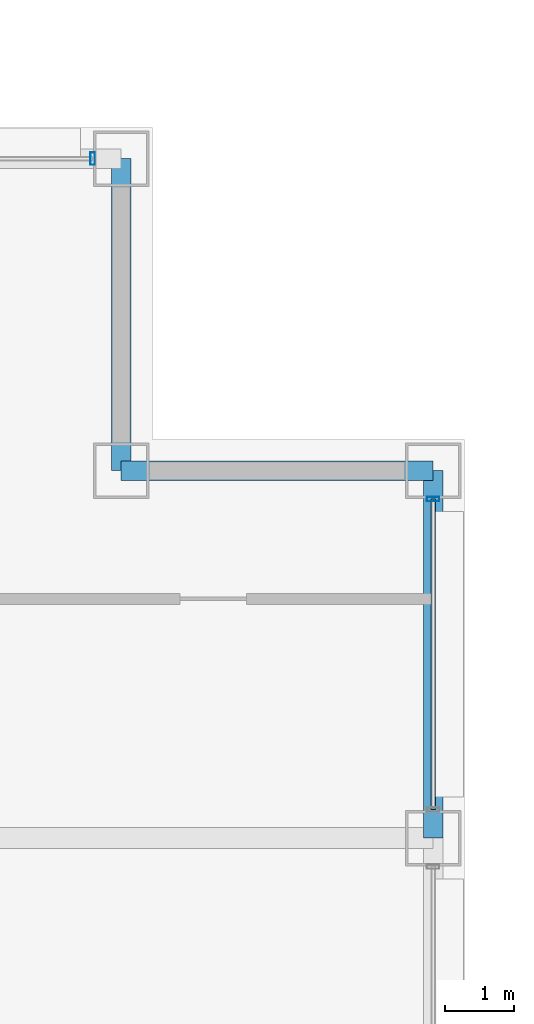
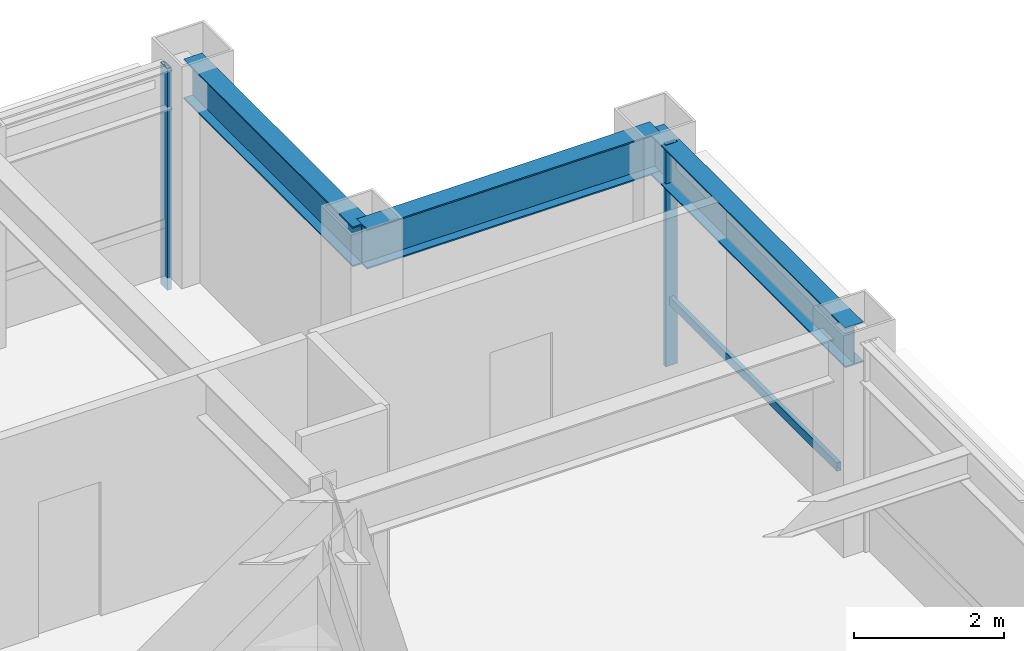
# One storey, part 22 of 28: 3 beams, 3 members, 2 elements without a shape of their own.
"""IFC4 building model written with IfcOpenShell, lengths in metres."""

from ifc_helpers import new_model, si_unit, direction, frame, origin, origin_2d, place, context, subcontext, project, spatial, hollow_rectangle, i_section, extrude, material, layer, layer_set, material_profile, profile_set, type_object, element, aggregate, save


model = new_model("IFC4")

# Units and contexts
model_context = context("Model", 3, precision=1e-05, world=origin(), true_north=direction((0.0, 1.0)))
body_context = subcontext(model_context, "Body", "Model", "MODEL_VIEW")
ifc_project = project(units=[si_unit("LENGTHUNIT", "METRE"), si_unit("AREAUNIT", "SQUARE_METRE"), si_unit("VOLUMEUNIT", "CUBIC_METRE"), si_unit("PLANEANGLEUNIT", "RADIAN"), si_unit("MASSUNIT", "GRAM", prefix="KILO")], contexts=[model_context])

# Site, building, storey
site_placement = place(None, origin())
site = spatial("IfcSite", under=ifc_project, at=site_placement, CompositionType="ELEMENT")
building_placement = place(site_placement, origin())
building = spatial("IfcBuilding", under=site, at=building_placement, Name="Brelmoor Portico Tower", CompositionType="ELEMENT")
storey_placement = place(building_placement, frame((0.0, 0.0, 142.199951171875)))
storey = spatial("IfcBuildingStorey", under=building, at=storey_placement, Name="L37", CompositionType="ELEMENT", Elevation=142.199951171875)

# Beams
ifc_material_1 = material(Name="Steel Q355B", Category="steel")
ifc_material_profile_1 = material_profile(ifc_material_1, i_section(OverallWidth=0.280029296875, OverallDepth=0.64990234375, WebThickness=0.012939453125, FlangeThickness=0.02197265625, at=origin_2d()), Name="HN 650x280x13x22")
ifc_profile_set_1 = profile_set([ifc_material_profile_1], Name="Steel Q355B")
beam_type = type_object("IfcBeamType", Name="BM-SP-650", PredefinedType="SPANDREL", material=ifc_profile_set_1)
for number, where, z_axis, x_axis, name in (
    (1, (18.050048828125, 15.050048828125, 3.074951171875), (1.0, 0.0, 0.0), (0.0, 1.0, 0.0), "L37 Perimeter Spandrel Beam SP-09"),
    (2, (18.050048828125, 15.050048828125, 3.074951171875), (0.0, 1.0, 0.0), (-1.0, 0.0, 0.0), "L37 Perimeter Spandrel Beam SP-21"),
):
    element("IfcBeam", number, at=place(storey_placement, frame(where, z_axis=z_axis, x_axis=x_axis)), inside=storey, type_object=beam_type, Name=name, PredefinedType="SPANDREL", context=body_context, shape_type="SweptSolid", body=[
        extrude(i_section(OverallWidth=0.280029296875, OverallDepth=0.64990234375, WebThickness=0.012939453125, FlangeThickness=0.02197265625, at=origin_2d()), origin(), (0.0, 0.0, 1.0), 4.5),
    ])
beam_placement = place(storey_placement, frame((22.550048828125, 9.75, 3.074951171875), z_axis=(0.0, 1.0, 0.0), x_axis=(-1.0, 0.0, 0.0)))
element("IfcBeam", 3, at=beam_placement, inside=storey, type_object=beam_type, Name="L37 Perimeter Spandrel Beam SP-24", PredefinedType="SPANDREL", context=body_context, shape_type="SweptSolid", body=[
    extrude(i_section(OverallWidth=0.280029296875, OverallDepth=0.64990234375, WebThickness=0.012939453125, FlangeThickness=0.02197265625, at=origin_2d()), origin(), (0.0, 0.0, 1.0), 5.300048828125),
])

# Curtain wall, member
ifc_material_2 = material(Name="Anodised Aluminium Alloy 6063-T6", Category="aluminium")
ifc_layer = layer(ifc_material_2, 0.179931640625)
ifc_layer_set = layer_set([ifc_layer], Name="Anodised Aluminium Alloy 6063-T6")
curtain_wall_type = type_object("IfcCurtainWallType", Name="CW-TOWER-Z2", PredefinedType="NOTDEFINED", material=ifc_layer_set)
curtain_wall_1_placement = place(storey_placement, origin())
curtain_wall_1 = element("IfcCurtainWall", 4, at=curtain_wall_1_placement, inside=storey, type_object=curtain_wall_type, Name="L37 Curtain Wall CW-L37-02-5", PredefinedType="NOTDEFINED")
ifc_material_profile_2 = material_profile(ifc_material_2, hollow_rectangle(XDim=0.06494140625, YDim=0.179931640625, WallThickness=0.00390625, at=origin_2d()), Name="ALU MULLION 65x180")
ifc_profile_set_2 = profile_set([ifc_material_profile_2], Name="Anodised Aluminium Alloy 6063-T6")
member_type_1 = type_object("IfcMemberType", Name="MB-CW-MULL-180", PredefinedType="MULLION", material=ifc_profile_set_2)
member_1_placement = place(storey_placement, frame((17.639892578125, 19.550048828125, -0.199951171875), z_axis=(0.0, 0.0, 1.0), x_axis=(1.0, 0.0, 0.0)))
member_1 = element("IfcMember", 5, at=member_1_placement, type_object=member_type_1, Name="CW-L37-02-5 Mullion 01", PredefinedType="MULLION", context=body_context, shape_type="SweptSolid", body=[
    extrude(hollow_rectangle(XDim=0.06494140625, YDim=0.179931640625, WallThickness=0.00390625, at=origin_2d()), origin(), (0.0, 0.0, 1.0), 3.60009765625),
])
aggregate(curtain_wall_1, [member_1])

# Curtain wall, members
curtain_wall_2_placement = place(storey_placement, origin())
curtain_wall_2 = element("IfcCurtainWall", 6, at=curtain_wall_2_placement, inside=storey, type_object=curtain_wall_type, Name="L37 Curtain Wall CW-L37-04-3", PredefinedType="NOTDEFINED")
member_2_placement = place(storey_placement, frame((22.550048828125, 14.639892578125, -0.199951171875), z_axis=(0.0, 0.0, 1.0), x_axis=(0.0, 1.0, 0.0)))
member_2 = element("IfcMember", 7, at=member_2_placement, type_object=member_type_1, Name="CW-L37-04-3 Mullion 01", PredefinedType="MULLION", context=body_context, shape_type="SweptSolid", body=[
    extrude(hollow_rectangle(XDim=0.06494140625, YDim=0.179931640625, WallThickness=0.00390625, at=origin_2d()), origin(), (0.0, 0.0, 1.0), 3.60009765625),
])
ifc_material_profile_3 = material_profile(ifc_material_2, hollow_rectangle(XDim=0.06494140625, YDim=0.139892578125, WallThickness=0.00390625, at=origin_2d()), Name="ALU TRANSOM 65x140")
ifc_profile_set_3 = profile_set([ifc_material_profile_3], Name="Anodised Aluminium Alloy 6063-T6")
member_type_2 = type_object("IfcMemberType", Name="MB-CW-TRAN-140", PredefinedType="USERDEFINED", material=ifc_profile_set_3)
member_3_placement = place(storey_placement, frame((22.550048828125, 10.159912109375, 0.85009765625), z_axis=(0.0, 1.0, 0.0), x_axis=(-1.0, 0.0, 0.0)))
member_3 = element("IfcMember", 8, at=member_3_placement, type_object=member_type_2, Name="CW-L37-04-3 Transom 1-00", ObjectType="TRANSOM", PredefinedType="USERDEFINED", context=body_context, shape_type="SweptSolid", body=[
    extrude(hollow_rectangle(XDim=0.06494140625, YDim=0.139892578125, WallThickness=0.00390625, at=origin_2d()), origin(), (0.0, 0.0, 1.0), 4.47998046875),
])
aggregate(curtain_wall_2, [member_2, member_3])

save(model, "model.ifc")
